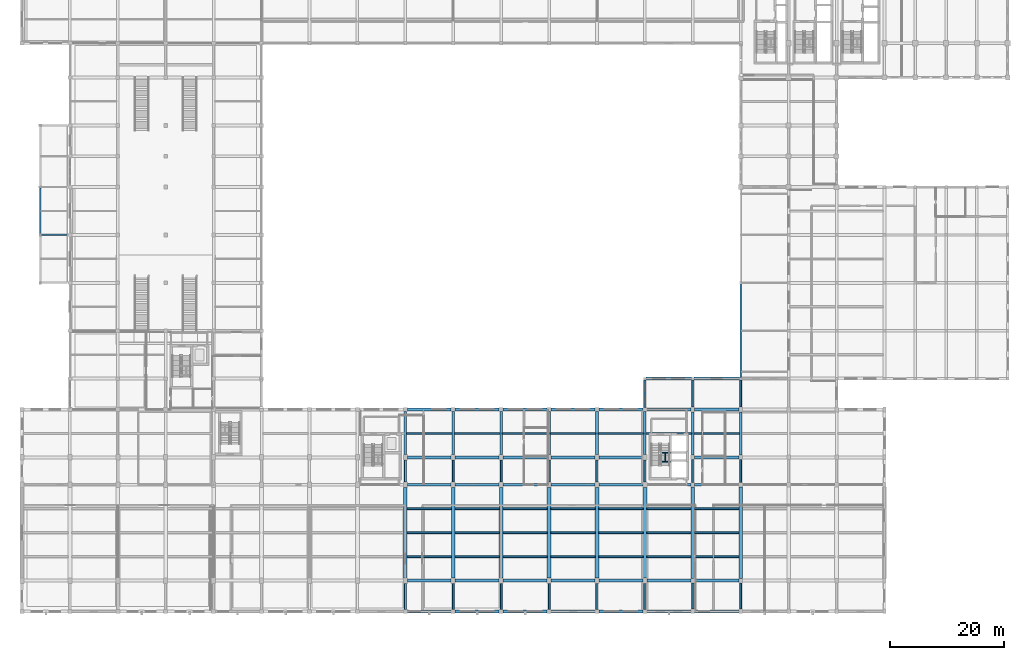
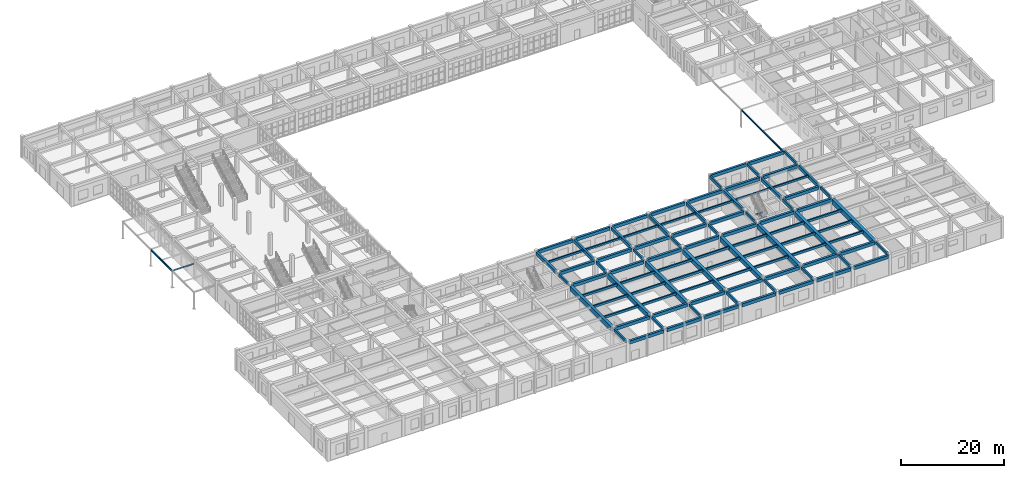
# One storey, part 23 of 80: 104 beams, 1 member.
"""IFC4 building model written with IfcOpenShell, lengths in metres."""

import ifcopenshell
import ifcopenshell.guid

model = None  # the IFC model being written
_history = None  # IfcOwnerHistory: only IFC2X3 demands one
_inside = {}  # id of a spatial element -> (the spatial element, [elements in it])
_under = {}  # id of a project, library or spatial element -> (it, [spatial elements below it])
_declared = {}  # id of a project -> (the project, [libraries it declares])
_typed = {}  # id of a type object -> (the type object, [elements of that type])
_made_of = {}  # id of a material, layer set ... -> (it, [elements and type objects made of it])


def new_model(schema):
    """Start an empty IFC model of exactly this schema.

    Asked for "IFC4X3", IfcOpenShell would pick the latest addendum, in which some entities
    have other attributes; the version numbers below select the first issue.
    IFC2X3 requires an IfcOwnerHistory on every rooted entity: one is made here for all.
    """
    global model, _history
    if schema == "IFC4X3":
        model = ifcopenshell.file(schema_version=(4, 3, 0, 0))
    else:
        model = ifcopenshell.file(schema=schema)
    _inside.clear()
    _under.clear()
    _declared.clear()
    _typed.clear()
    _made_of.clear()
    _history = None
    if model.schema == "IFC2X3":
        org = make("IfcOrganization", Name="unknown")
        user = make(
            "IfcPersonAndOrganization",
            ThePerson=make("IfcPerson", FamilyName="unknown"),
            TheOrganization=org,
        )
        app = make(
            "IfcApplication",
            ApplicationDeveloper=org,
            Version="unknown",
            ApplicationFullName="unknown",
            ApplicationIdentifier="unknown",
        )
        _history = make(
            "IfcOwnerHistory",
            OwningUser=user,
            OwningApplication=app,
            ChangeAction="ADDED",
            CreationDate=0,
        )
    return model


def make(cls, **values):
    """One entity of the class cls with the attributes given. An attribute that is None is left unset."""
    return model.create_entity(
        cls, **{name: value for name, value in values.items() if value is not None}
    )


def rooted(cls, **values):
    """An entity with a GlobalId (a new one), such as an element, a storey or a relation."""
    return make(cls, GlobalId=ifcopenshell.guid.new(), OwnerHistory=_history, **values)


def si_unit(unit_type, name, prefix=None):
    """IfcSIUnit, for example si_unit("LENGTHUNIT", "METRE", prefix="MILLI")."""
    return make("IfcSIUnit", UnitType=unit_type, Prefix=prefix, Name=name)


def assignment(units):
    """IfcUnitAssignment: the units of a project."""
    return None if units is None else make("IfcUnitAssignment", Units=units)


def point(xyz):
    """IfcCartesianPoint."""
    return None if xyz is None else make("IfcCartesianPoint", Coordinates=xyz)


def direction(xyz):
    """IfcDirection."""
    return None if xyz is None else make("IfcDirection", DirectionRatios=xyz)


def frame(location, z_axis=None, x_axis=None):
    """IfcAxis2Placement3D, a coordinate frame: its origin and axes. An axis left out is left unset."""
    return make(
        "IfcAxis2Placement3D",
        Location=point(location),
        Axis=direction(z_axis),
        RefDirection=direction(x_axis),
    )


def frame_2d(location, x_axis=None):
    """IfcAxis2Placement2D, a coordinate frame in the plane: its origin and x axis."""
    return make(
        "IfcAxis2Placement2D", Location=point(location), RefDirection=direction(x_axis)
    )


def origin():
    """The frame at (0, 0, 0) with its axes left unset."""
    return frame((0.0, 0.0, 0.0))


def origin_2d():
    """The frame at (0, 0) in the plane with its x axis left unset."""
    return frame_2d((0.0, 0.0))


def place(relative_to, where):
    """IfcLocalPlacement: puts the frame where relative to a parent placement (None: the world)."""
    return make(
        "IfcLocalPlacement", PlacementRelTo=relative_to, RelativePlacement=where
    )


def context(
    kind, dimensions, precision=None, world=None, true_north=None, identifier=None
):
    """IfcGeometricRepresentationContext, for example the 3D "Model" context."""
    return make(
        "IfcGeometricRepresentationContext",
        ContextIdentifier=identifier,
        ContextType=kind,
        CoordinateSpaceDimension=dimensions,
        Precision=precision,
        WorldCoordinateSystem=world,
        TrueNorth=true_north,
    )


def subcontext(parent, identifier, kind, view, scale=None):
    """IfcGeometricRepresentationSubContext, for example "Body" below "Model"."""
    return make(
        "IfcGeometricRepresentationSubContext",
        ContextIdentifier=identifier,
        ContextType=kind,
        ParentContext=parent,
        TargetScale=scale,
        TargetView=view,
    )


def project(units=None, contexts=None):
    """IfcProject with its units and contexts."""
    return rooted(
        "IfcProject",
        Name="project",
        RepresentationContexts=contexts,
        UnitsInContext=assignment(units),
    )


def spatial(cls, under=None, at=None, **own):
    """A site, building, storey or space (cls), placed at a placement, below another one or the project."""
    s = rooted(cls, ObjectPlacement=at, **own)
    if under is not None:
        _under.setdefault(under.id(), (under, []))[1].append(s)
    return s


def profile(cls, at=None, kind="AREA", **sizes):
    """A parametric profile (cls). Its sizes go by their IFC names, for example OverallWidth=200.0."""
    return make(cls, ProfileType=kind, Position=at, **sizes)


def rectangle(**sizes):
    """IfcRectangleProfileDef."""
    return profile("IfcRectangleProfileDef", **sizes)


def i_section(**sizes):
    """IfcIShapeProfileDef."""
    return profile("IfcIShapeProfileDef", **sizes)


def extrude(swept, where, along, depth):
    """IfcExtrudedAreaSolid: the profile swept, set in the frame where, extruded along a direction by depth."""
    return make(
        "IfcExtrudedAreaSolid",
        SweptArea=swept,
        Position=where,
        ExtrudedDirection=direction(along),
        Depth=depth,
    )


def shape(context_of_items, identifier, shape_type, items):
    """IfcShapeRepresentation: the items that make up one representation, for example the "Body"."""
    return make(
        "IfcShapeRepresentation",
        ContextOfItems=context_of_items,
        RepresentationIdentifier=identifier,
        RepresentationType=shape_type,
        Items=items,
    )


def material(Name=None, Category=None):
    """IfcMaterial."""
    return make("IfcMaterial", Name=Name, Category=Category)


def material_profile(
    of_material, cross_section, Name=None, Category=None, Priority=None
):
    """IfcMaterialProfile: a cross section and its material."""
    return make(
        "IfcMaterialProfile",
        Name=Name,
        Material=of_material,
        Profile=cross_section,
        Priority=Priority,
        Category=Category,
    )


def profile_set(profiles, Name=None, composite=None):
    """IfcMaterialProfileSet."""
    return make(
        "IfcMaterialProfileSet",
        Name=Name,
        MaterialProfiles=profiles,
        CompositeProfile=composite,
    )


def made_of(thing, what):
    """Note that an element or type object is made of a material, layer set ...; save() writes the relation."""
    if what is not None:
        _made_of.setdefault(what.id(), (what, []))[1].append(thing)
    return thing


def type_object(cls, material=None, **own):
    """A type object (cls), such as IfcWallType, which elements share."""
    return made_of(rooted(cls, **own), material)


def element(
    cls,
    number,
    at=None,
    inside=None,
    cuts=None,
    type_object=None,
    material=None,
    context=None,
    identifier="Body",
    shape_type=None,
    held_by="IfcProductDefinitionShape",
    body=None,
    shapes=None,
    **own,
):
    """One element of the class cls, such as IfcWall. Its Tag is "e" and its number.

    at: its placement. inside: the storey or other place that contains it. cuts: it is an
    opening in that element (IfcRelVoidsElement). A single representation is given by context,
    identifier, shape_type and body (its items); several are given by shapes. held_by: the class
    of the entity that holds the representations. save() writes the other relations.
    """
    e = rooted(cls, Tag="e%d" % number, ObjectPlacement=at, **own)
    if body is not None:
        shapes = [shape(context, identifier, shape_type, body)]
    if shapes is not None:
        e.Representation = make(held_by, Representations=shapes)
    if inside is not None:
        _inside.setdefault(inside.id(), (inside, []))[1].append(e)
    if cuts is not None:
        rooted(
            "IfcRelVoidsElement", RelatingBuildingElement=cuts, RelatedOpeningElement=e
        )
    if type_object is not None:
        _typed.setdefault(type_object.id(), (type_object, []))[1].append(e)
    return made_of(e, material)


def aggregate(whole, parts):
    """IfcRelAggregates: a whole, such as a stair, and the parts it consists of."""
    return rooted("IfcRelAggregates", RelatingObject=whole, RelatedObjects=parts)


def save(model, path):
    """Write the relations noted so far, then the file.

    IfcRelAggregates (storeys below a building ...), IfcRelContainedInSpatialStructure (elements
    in a storey), IfcRelDefinesByType, IfcRelAssociatesMaterial and IfcRelDeclares: one each for
    every whole, place, type object, material and project.
    """
    for whole, parts in _under.values():
        aggregate(whole, parts)
    for where, things in _inside.values():
        rooted(
            "IfcRelContainedInSpatialStructure",
            RelatedElements=things,
            RelatingStructure=where,
        )
    for kind, things in _typed.values():
        rooted("IfcRelDefinesByType", RelatedObjects=things, RelatingType=kind)
    for what, things in _made_of.values():
        rooted("IfcRelAssociatesMaterial", RelatedObjects=things, RelatingMaterial=what)
    for by, libraries in _declared.values():
        rooted("IfcRelDeclares", RelatingContext=by, RelatedDefinitions=libraries)
    model.write(path)


model = new_model("IFC4")

# Units and contexts
model_context = context("Model", 3, precision=1e-05, world=origin(), true_north=direction((0.0, 1.0)))
body_context = subcontext(model_context, "Body", "Model", "MODEL_VIEW")
ifc_project = project(units=[si_unit("LENGTHUNIT", "METRE"), si_unit("AREAUNIT", "SQUARE_METRE"), si_unit("VOLUMEUNIT", "CUBIC_METRE"), si_unit("PLANEANGLEUNIT", "RADIAN"), si_unit("MASSUNIT", "GRAM", prefix="KILO")], contexts=[model_context])

# Site, building, storey
site_placement = place(None, origin())
site = spatial("IfcSite", under=ifc_project, at=site_placement, CompositionType="ELEMENT")
building_placement = place(site_placement, origin())
building = spatial("IfcBuilding", under=site, at=building_placement, Name="Krzemoval Escarpment Law Courts", CompositionType="ELEMENT")
storey_placement = place(building_placement, origin())
storey = spatial("IfcBuildingStorey", under=building, at=storey_placement, Name="L00", CompositionType="ELEMENT", Elevation=0.0)

# Beams
ifc_material_1 = material(Name="Concrete C50/60", Category="concrete")
ifc_material_profile_1 = material_profile(ifc_material_1, rectangle(XDim=0.64990234375, YDim=1.14990234375, at=origin_2d()), Name="PTG 650x1150")
ifc_profile_set_1 = profile_set([ifc_material_profile_1], Name="Concrete C50/60")
beam_type_1 = type_object("IfcBeamType", Name="BM-PTG-650x1150", PredefinedType="BEAM", material=ifc_profile_set_1)
for number, where, z_axis, x_axis, name in (
    (1, (67.199951171875, 5.89990234375, 4.2451171875), (0.0, 1.0, 0.0), (-1.0, 0.0, 0.0), "Beam FG-L00-0907"),
    (2, (75.60009765625, 5.89990234375, 4.2451171875), (0.0, 1.0, 0.0), (-1.0, 0.0, 0.0), "Beam FG-L00-0913"),
    (3, (84.0, 5.89990234375, 4.2451171875), (0.0, 1.0, 0.0), (-1.0, 0.0, 0.0), "Beam FG-L00-0919"),
    (4, (92.39990234375, 5.89990234375, 4.2451171875), (0.0, 1.0, 0.0), (-1.0, 0.0, 0.0), "Beam FG-L00-0925"),
    (5, (100.800048828125, 5.89990234375, 4.2451171875), (0.0, 1.0, 0.0), (-1.0, 0.0, 0.0), "Beam FG-L00-0931"),
    (6, (109.199951171875, 5.89990234375, 4.2451171875), (0.0, 1.0, 0.0), (-1.0, 0.0, 0.0), "Beam FG-L00-0937"),
):
    element("IfcBeam", number, at=place(storey_placement, frame(where, z_axis=z_axis, x_axis=x_axis)), inside=storey, type_object=beam_type_1, Name=name, PredefinedType="BEAM", context=body_context, shape_type="SweptSolid", body=[
        extrude(rectangle(XDim=0.64990234375, YDim=1.14990234375, at=origin_2d()), origin(), (0.0, 0.0, 1.0), 15.800048828125),
    ])
for number, where, z_axis, x_axis, name in (
    (7, (117.60009765625, 5.800048828125, 4.2451171875), (0.0, 1.0, 0.0), (-1.0, 0.0, 0.0), "Beam FG-L00-0944"),
    (8, (126.0, 5.800048828125, 4.2451171875), (0.0, 1.0, 0.0), (-1.0, 0.0, 0.0), "Beam FG-L00-0951"),
):
    element("IfcBeam", number, at=place(storey_placement, frame(where, z_axis=z_axis, x_axis=x_axis)), inside=storey, type_object=beam_type_1, Name=name, PredefinedType="BEAM", context=body_context, shape_type="SweptSolid", body=[
        extrude(rectangle(XDim=0.64990234375, YDim=1.14990234375, at=origin_2d()), origin(), (0.0, 0.0, 1.0), 16.0),
    ])
ifc_material_2 = material(Name="Concrete C40/50", Category="concrete")
ifc_material_profile_2 = material_profile(ifc_material_2, rectangle(XDim=0.35009765625, YDim=0.64990234375, at=origin_2d()), Name="RCB 350x650")
ifc_profile_set_2 = profile_set([ifc_material_profile_2], Name="Concrete C40/50")
beam_type_2 = type_object("IfcBeamType", Name="BM-RC-350x650", PredefinedType="BEAM", material=ifc_profile_set_2)
beam_1_placement = place(storey_placement, frame((67.199951171875, 0.35009765625, 4.4951171875), z_axis=(0.0, 1.0, 0.0), x_axis=(-1.0, 0.0, 0.0)))
element("IfcBeam", 9, at=beam_1_placement, inside=storey, type_object=beam_type_2, Name="Beam FG-L00-0906", PredefinedType="BEAM", context=body_context, shape_type="SweptSolid", body=[
    extrude(rectangle(XDim=0.35009765625, YDim=0.64990234375, at=origin_2d()), origin(), (0.0, 0.0, 1.0), 4.5498046875),
])
beam_2_placement = place(storey_placement, frame((67.199951171875, 22.699951171875, 4.4951171875), z_axis=(0.0, 1.0, 0.0), x_axis=(-1.0, 0.0, 0.0)))
element("IfcBeam", 10, at=beam_2_placement, inside=storey, type_object=beam_type_2, Name="Beam FG-L00-0908", PredefinedType="BEAM", context=body_context, shape_type="SweptSolid", body=[
    extrude(rectangle(XDim=0.35009765625, YDim=0.64990234375, at=origin_2d()), origin(), (0.0, 0.0, 1.0), 3.800048828125),
])
beam_3_placement = place(storey_placement, frame((75.60009765625, 0.35009765625, 4.4951171875), z_axis=(0.0, 1.0, 0.0), x_axis=(-1.0, 0.0, 0.0)))
element("IfcBeam", 11, at=beam_3_placement, inside=storey, type_object=beam_type_2, Name="Beam FG-L00-0912", PredefinedType="BEAM", context=body_context, shape_type="SweptSolid", body=[
    extrude(rectangle(XDim=0.35009765625, YDim=0.64990234375, at=origin_2d()), origin(), (0.0, 0.0, 1.0), 4.5498046875),
])
beam_4_placement = place(storey_placement, frame((75.60009765625, 22.699951171875, 4.4951171875), z_axis=(0.0, 1.0, 0.0), x_axis=(-1.0, 0.0, 0.0)))
element("IfcBeam", 12, at=beam_4_placement, inside=storey, type_object=beam_type_2, Name="Beam FG-L00-0914", PredefinedType="BEAM", context=body_context, shape_type="SweptSolid", body=[
    extrude(rectangle(XDim=0.35009765625, YDim=0.64990234375, at=origin_2d()), origin(), (0.0, 0.0, 1.0), 3.800048828125),
])
beam_5_placement = place(storey_placement, frame((84.0, 0.35009765625, 4.4951171875), z_axis=(0.0, 1.0, 0.0), x_axis=(-1.0, 0.0, 0.0)))
element("IfcBeam", 13, at=beam_5_placement, inside=storey, type_object=beam_type_2, Name="Beam FG-L00-0918", PredefinedType="BEAM", context=body_context, shape_type="SweptSolid", body=[
    extrude(rectangle(XDim=0.35009765625, YDim=0.64990234375, at=origin_2d()), origin(), (0.0, 0.0, 1.0), 4.5498046875),
])
beam_6_placement = place(storey_placement, frame((84.0, 22.699951171875, 4.4951171875), z_axis=(0.0, 1.0, 0.0), x_axis=(-1.0, 0.0, 0.0)))
element("IfcBeam", 14, at=beam_6_placement, inside=storey, type_object=beam_type_2, Name="Beam FG-L00-0920", PredefinedType="BEAM", context=body_context, shape_type="SweptSolid", body=[
    extrude(rectangle(XDim=0.35009765625, YDim=0.64990234375, at=origin_2d()), origin(), (0.0, 0.0, 1.0), 3.800048828125),
])
beam_7_placement = place(storey_placement, frame((92.39990234375, 0.35009765625, 4.4951171875), z_axis=(0.0, 1.0, 0.0), x_axis=(-1.0, 0.0, 0.0)))
element("IfcBeam", 15, at=beam_7_placement, inside=storey, type_object=beam_type_2, Name="Beam FG-L00-0924", PredefinedType="BEAM", context=body_context, shape_type="SweptSolid", body=[
    extrude(rectangle(XDim=0.35009765625, YDim=0.64990234375, at=origin_2d()), origin(), (0.0, 0.0, 1.0), 4.5498046875),
])
beam_8_placement = place(storey_placement, frame((92.39990234375, 22.699951171875, 4.4951171875), z_axis=(0.0, 1.0, 0.0), x_axis=(-1.0, 0.0, 0.0)))
element("IfcBeam", 16, at=beam_8_placement, inside=storey, type_object=beam_type_2, Name="Beam FG-L00-0926", PredefinedType="BEAM", context=body_context, shape_type="SweptSolid", body=[
    extrude(rectangle(XDim=0.35009765625, YDim=0.64990234375, at=origin_2d()), origin(), (0.0, 0.0, 1.0), 3.800048828125),
])
beam_9_placement = place(storey_placement, frame((100.800048828125, 0.35009765625, 4.4951171875), z_axis=(0.0, 1.0, 0.0), x_axis=(-1.0, 0.0, 0.0)))
element("IfcBeam", 17, at=beam_9_placement, inside=storey, type_object=beam_type_2, Name="Beam FG-L00-0930", PredefinedType="BEAM", context=body_context, shape_type="SweptSolid", body=[
    extrude(rectangle(XDim=0.35009765625, YDim=0.64990234375, at=origin_2d()), origin(), (0.0, 0.0, 1.0), 4.5498046875),
])
beam_10_placement = place(storey_placement, frame((100.800048828125, 22.699951171875, 4.4951171875), z_axis=(0.0, 1.0, 0.0), x_axis=(-1.0, 0.0, 0.0)))
element("IfcBeam", 18, at=beam_10_placement, inside=storey, type_object=beam_type_2, Name="Beam FG-L00-0932", PredefinedType="BEAM", context=body_context, shape_type="SweptSolid", body=[
    extrude(rectangle(XDim=0.35009765625, YDim=0.64990234375, at=origin_2d()), origin(), (0.0, 0.0, 1.0), 3.800048828125),
])
beam_11_placement = place(storey_placement, frame((109.199951171875, 0.35009765625, 4.4951171875), z_axis=(0.0, 1.0, 0.0), x_axis=(-1.0, 0.0, 0.0)))
element("IfcBeam", 19, at=beam_11_placement, inside=storey, type_object=beam_type_2, Name="Beam FG-L00-0936", PredefinedType="BEAM", context=body_context, shape_type="SweptSolid", body=[
    extrude(rectangle(XDim=0.35009765625, YDim=0.64990234375, at=origin_2d()), origin(), (0.0, 0.0, 1.0), 4.5498046875),
])
beam_12_placement = place(storey_placement, frame((109.199951171875, 22.699951171875, 4.4951171875), z_axis=(0.0, 1.0, 0.0), x_axis=(-1.0, 0.0, 0.0)))
element("IfcBeam", 20, at=beam_12_placement, inside=storey, type_object=beam_type_2, Name="Beam FG-L00-0938", PredefinedType="BEAM", context=body_context, shape_type="SweptSolid", body=[
    extrude(rectangle(XDim=0.35009765625, YDim=0.64990234375, at=origin_2d()), origin(), (0.0, 0.0, 1.0), 3.800048828125),
])
beam_13_placement = place(storey_placement, frame((109.199951171875, 35.75, 4.4951171875), z_axis=(0.0, 1.0, 0.0), x_axis=(-1.0, 0.0, 0.0)))
element("IfcBeam", 21, at=beam_13_placement, inside=storey, type_object=beam_type_2, Name="Beam FG-L00-0940", PredefinedType="BEAM", context=body_context, shape_type="SweptSolid", body=[
    extrude(rectangle(XDim=0.35009765625, YDim=0.64990234375, at=origin_2d()), origin(), (0.0, 0.0, 1.0), 4.824951171875),
])
beam_14_placement = place(storey_placement, frame((117.60009765625, 0.39990234375, 4.4951171875), z_axis=(0.0, 1.0, 0.0), x_axis=(-1.0, 0.0, 0.0)))
element("IfcBeam", 22, at=beam_14_placement, inside=storey, type_object=beam_type_2, Name="Beam FG-L00-0943", PredefinedType="BEAM", context=body_context, shape_type="SweptSolid", body=[
    extrude(rectangle(XDim=0.35009765625, YDim=0.64990234375, at=origin_2d()), origin(), (0.0, 0.0, 1.0), 4.60009765625),
])
beam_15_placement = place(storey_placement, frame((117.60009765625, 22.60009765625, 4.4951171875), z_axis=(0.0, 1.0, 0.0), x_axis=(-1.0, 0.0, 0.0)))
element("IfcBeam", 23, at=beam_15_placement, inside=storey, type_object=beam_type_2, Name="Beam FG-L00-0945", PredefinedType="BEAM", context=body_context, shape_type="SweptSolid", body=[
    extrude(rectangle(XDim=0.35009765625, YDim=0.64990234375, at=origin_2d()), origin(), (0.0, 0.0, 1.0), 4.0),
])
beam_16_placement = place(storey_placement, frame((117.60009765625, 35.800048828125, 4.4951171875), z_axis=(0.0, 1.0, 0.0), x_axis=(-1.0, 0.0, 0.0)))
element("IfcBeam", 24, at=beam_16_placement, inside=storey, type_object=beam_type_2, Name="Beam FG-L00-0947", PredefinedType="BEAM", context=body_context, shape_type="SweptSolid", body=[
    extrude(rectangle(XDim=0.35009765625, YDim=0.64990234375, at=origin_2d()), origin(), (0.0, 0.0, 1.0), 4.77490234375),
])
beam_17_placement = place(storey_placement, frame((126.0, 0.39990234375, 4.4951171875), z_axis=(0.0, 1.0, 0.0), x_axis=(-1.0, 0.0, 0.0)))
element("IfcBeam", 25, at=beam_17_placement, inside=storey, type_object=beam_type_2, Name="Beam FG-L00-0950", PredefinedType="BEAM", context=body_context, shape_type="SweptSolid", body=[
    extrude(rectangle(XDim=0.35009765625, YDim=0.64990234375, at=origin_2d()), origin(), (0.0, 0.0, 1.0), 4.60009765625),
])
beam_18_placement = place(storey_placement, frame((126.0, 22.60009765625, 4.4951171875), z_axis=(0.0, 1.0, 0.0), x_axis=(-1.0, 0.0, 0.0)))
element("IfcBeam", 26, at=beam_18_placement, inside=storey, type_object=beam_type_2, Name="Beam FG-L00-0952", PredefinedType="BEAM", context=body_context, shape_type="SweptSolid", body=[
    extrude(rectangle(XDim=0.35009765625, YDim=0.64990234375, at=origin_2d()), origin(), (0.0, 0.0, 1.0), 4.0),
])
beam_19_placement = place(storey_placement, frame((126.0, 35.800048828125, 4.4951171875), z_axis=(0.0, 1.0, 0.0), x_axis=(-1.0, 0.0, 0.0)))
element("IfcBeam", 27, at=beam_19_placement, inside=storey, type_object=beam_type_2, Name="Beam FG-L00-0954", PredefinedType="BEAM", context=body_context, shape_type="SweptSolid", body=[
    extrude(rectangle(XDim=0.35009765625, YDim=0.64990234375, at=origin_2d()), origin(), (0.0, 0.0, 1.0), 4.77490234375),
])
ifc_material_3 = material(Name="Concrete C40/50", Category="concrete")
ifc_material_profile_3 = material_profile(ifc_material_3, rectangle(XDim=0.449951171875, YDim=0.800048828125, at=origin_2d()), Name="RCB 450x800")
ifc_profile_set_3 = profile_set([ifc_material_profile_3], Name="Concrete C40/50")
beam_type_3 = type_object("IfcBeamType", Name="BM-RC-450x800", PredefinedType="BEAM", material=ifc_profile_set_3)
for number, where, z_axis, x_axis, name in (
    (28, (67.199951171875, 27.5, 4.419921875), (0.0, 1.0, 0.0), (-1.0, 0.0, 0.0), "Beam FG-L00-0909"),
    (29, (75.60009765625, 27.5, 4.419921875), (0.0, 1.0, 0.0), (-1.0, 0.0, 0.0), "Beam FG-L00-0915"),
    (30, (84.0, 27.5, 4.419921875), (0.0, 1.0, 0.0), (-1.0, 0.0, 0.0), "Beam FG-L00-0921"),
    (31, (92.39990234375, 27.5, 4.419921875), (0.0, 1.0, 0.0), (-1.0, 0.0, 0.0), "Beam FG-L00-0927"),
    (32, (100.800048828125, 27.5, 4.419921875), (0.0, 1.0, 0.0), (-1.0, 0.0, 0.0), "Beam FG-L00-0933"),
    (33, (109.199951171875, 27.5, 4.419921875), (0.0, 1.0, 0.0), (-1.0, 0.0, 0.0), "Beam FG-L00-0939"),
):
    element("IfcBeam", number, at=place(storey_placement, frame(where, z_axis=z_axis, x_axis=x_axis)), inside=storey, type_object=beam_type_3, Name=name, PredefinedType="BEAM", context=body_context, shape_type="SweptSolid", body=[
        extrude(rectangle(XDim=0.449951171875, YDim=0.800048828125, at=origin_2d()), origin(), (0.0, 0.0, 1.0), 7.550048828125),
    ])
for number, where, z_axis, x_axis, name in (
    (34, (117.60009765625, 27.39990234375, 4.419921875), (0.0, 1.0, 0.0), (-1.0, 0.0, 0.0), "Beam FG-L00-0946"),
    (35, (126.0, 27.39990234375, 4.419921875), (0.0, 1.0, 0.0), (-1.0, 0.0, 0.0), "Beam FG-L00-0953"),
):
    element("IfcBeam", number, at=place(storey_placement, frame(where, z_axis=z_axis, x_axis=x_axis)), inside=storey, type_object=beam_type_3, Name=name, PredefinedType="BEAM", context=body_context, shape_type="SweptSolid", body=[
        extrude(rectangle(XDim=0.449951171875, YDim=0.800048828125, at=origin_2d()), origin(), (0.0, 0.0, 1.0), 7.60009765625),
    ])
ifc_material_4 = material(Name="Concrete C40/50", Category="concrete")
ifc_material_profile_4 = material_profile(ifc_material_4, rectangle(XDim=0.5, YDim=0.75, at=origin_2d()), Name="RCB 500x750")
ifc_profile_set_4 = profile_set([ifc_material_profile_4], Name="Concrete C40/50")
beam_type_4 = type_object("IfcBeamType", Name="BM-RC-500x750", PredefinedType="BEAM", material=ifc_profile_set_4)
for number, where, z_axis, x_axis, name in (
    (36, (67.550048828125, 0.0, 4.445068359375), (1.0, 0.0, 0.0), (0.0, 1.0, 0.0), "Beam FG-L00-0595"),
    (37, (75.949951171875, 0.0, 4.445068359375), (1.0, 0.0, 0.0), (0.0, 1.0, 0.0), "Beam FG-L00-0596"),
    (38, (84.35009765625, 0.0, 4.445068359375), (1.0, 0.0, 0.0), (0.0, 1.0, 0.0), "Beam FG-L00-0597"),
    (39, (92.75, 0.0, 4.445068359375), (1.0, 0.0, 0.0), (0.0, 1.0, 0.0), "Beam FG-L00-0598"),
):
    element("IfcBeam", number, at=place(storey_placement, frame(where, z_axis=z_axis, x_axis=x_axis)), inside=storey, type_object=beam_type_4, Name=name, PredefinedType="BEAM", context=body_context, shape_type="SweptSolid", body=[
        extrude(rectangle(XDim=0.5, YDim=0.75, at=origin_2d()), origin(), (0.0, 0.0, 1.0), 7.699951171875),
    ])
beam_20_placement = place(storey_placement, frame((101.14990234375, 0.0, 4.445068359375), z_axis=(1.0, 0.0, 0.0), x_axis=(0.0, 1.0, 0.0)))
element("IfcBeam", 40, at=beam_20_placement, inside=storey, type_object=beam_type_4, Name="Beam FG-L00-0599", PredefinedType="BEAM", context=body_context, shape_type="SweptSolid", body=[
    extrude(rectangle(XDim=0.5, YDim=0.75, at=origin_2d()), origin(), (0.0, 0.0, 1.0), 7.7001953125),
])
beam_21_placement = place(storey_placement, frame((109.550048828125, 0.0, 4.445068359375), z_axis=(1.0, 0.0, 0.0), x_axis=(0.0, 1.0, 0.0)))
element("IfcBeam", 41, at=beam_21_placement, inside=storey, type_object=beam_type_4, Name="Beam FG-L00-0600", PredefinedType="BEAM", context=body_context, shape_type="SweptSolid", body=[
    extrude(rectangle(XDim=0.5, YDim=0.75, at=origin_2d()), origin(), (0.0, 0.0, 1.0), 7.75),
])
beam_22_placement = place(storey_placement, frame((117.89990234375, 0.0, 4.445068359375), z_axis=(1.0, 0.0, 0.0), x_axis=(0.0, 1.0, 0.0)))
element("IfcBeam", 42, at=beam_22_placement, inside=storey, type_object=beam_type_4, Name="Beam FG-L00-0601", PredefinedType="BEAM", context=body_context, shape_type="SweptSolid", body=[
    extrude(rectangle(XDim=0.5, YDim=0.75, at=origin_2d()), origin(), (0.0, 0.0, 1.0), 7.800048828125),
])
for number, where, z_axis, x_axis, name in (
    (43, (67.550048828125, 5.39990234375, 4.445068359375), (1.0, 0.0, 0.0), (0.0, 1.0, 0.0), "Beam FG-L00-0613"),
    (44, (75.949951171875, 5.39990234375, 4.445068359375), (1.0, 0.0, 0.0), (0.0, 1.0, 0.0), "Beam FG-L00-0614"),
    (45, (84.35009765625, 5.39990234375, 4.445068359375), (1.0, 0.0, 0.0), (0.0, 1.0, 0.0), "Beam FG-L00-0615"),
    (46, (92.75, 5.39990234375, 4.445068359375), (1.0, 0.0, 0.0), (0.0, 1.0, 0.0), "Beam FG-L00-0616"),
):
    element("IfcBeam", number, at=place(storey_placement, frame(where, z_axis=z_axis, x_axis=x_axis)), inside=storey, type_object=beam_type_4, Name=name, PredefinedType="BEAM", context=body_context, shape_type="SweptSolid", body=[
        extrude(rectangle(XDim=0.5, YDim=0.75, at=origin_2d()), origin(), (0.0, 0.0, 1.0), 7.699951171875),
    ])
beam_23_placement = place(storey_placement, frame((101.14990234375, 5.39990234375, 4.445068359375), z_axis=(1.0, 0.0, 0.0), x_axis=(0.0, 1.0, 0.0)))
element("IfcBeam", 47, at=beam_23_placement, inside=storey, type_object=beam_type_4, Name="Beam FG-L00-0617", PredefinedType="BEAM", context=body_context, shape_type="SweptSolid", body=[
    extrude(rectangle(XDim=0.5, YDim=0.75, at=origin_2d()), origin(), (0.0, 0.0, 1.0), 7.7001953125),
])
beam_24_placement = place(storey_placement, frame((109.550048828125, 5.39990234375, 4.445068359375), z_axis=(1.0, 0.0, 0.0), x_axis=(0.0, 1.0, 0.0)))
element("IfcBeam", 48, at=beam_24_placement, inside=storey, type_object=beam_type_4, Name="Beam FG-L00-0618", PredefinedType="BEAM", context=body_context, shape_type="SweptSolid", body=[
    extrude(rectangle(XDim=0.5, YDim=0.75, at=origin_2d()), origin(), (0.0, 0.0, 1.0), 7.75),
])
beam_25_placement = place(storey_placement, frame((117.89990234375, 5.39990234375, 4.445068359375), z_axis=(1.0, 0.0, 0.0), x_axis=(0.0, 1.0, 0.0)))
element("IfcBeam", 49, at=beam_25_placement, inside=storey, type_object=beam_type_4, Name="Beam FG-L00-0619", PredefinedType="BEAM", context=body_context, shape_type="SweptSolid", body=[
    extrude(rectangle(XDim=0.5, YDim=0.75, at=origin_2d()), origin(), (0.0, 0.0, 1.0), 7.800048828125),
])
for number, where, z_axis, x_axis, name in (
    (50, (67.550048828125, 22.199951171875, 4.445068359375), (1.0, 0.0, 0.0), (0.0, 1.0, 0.0), "Beam FG-L00-0631"),
    (51, (75.949951171875, 22.199951171875, 4.445068359375), (1.0, 0.0, 0.0), (0.0, 1.0, 0.0), "Beam FG-L00-0632"),
    (52, (84.35009765625, 22.199951171875, 4.445068359375), (1.0, 0.0, 0.0), (0.0, 1.0, 0.0), "Beam FG-L00-0633"),
    (53, (92.75, 22.199951171875, 4.445068359375), (1.0, 0.0, 0.0), (0.0, 1.0, 0.0), "Beam FG-L00-0634"),
):
    element("IfcBeam", number, at=place(storey_placement, frame(where, z_axis=z_axis, x_axis=x_axis)), inside=storey, type_object=beam_type_4, Name=name, PredefinedType="BEAM", context=body_context, shape_type="SweptSolid", body=[
        extrude(rectangle(XDim=0.5, YDim=0.75, at=origin_2d()), origin(), (0.0, 0.0, 1.0), 7.699951171875),
    ])
beam_26_placement = place(storey_placement, frame((101.14990234375, 22.199951171875, 4.445068359375), z_axis=(1.0, 0.0, 0.0), x_axis=(0.0, 1.0, 0.0)))
element("IfcBeam", 54, at=beam_26_placement, inside=storey, type_object=beam_type_4, Name="Beam FG-L00-0635", PredefinedType="BEAM", context=body_context, shape_type="SweptSolid", body=[
    extrude(rectangle(XDim=0.5, YDim=0.75, at=origin_2d()), origin(), (0.0, 0.0, 1.0), 7.7001953125),
])
beam_27_placement = place(storey_placement, frame((109.550048828125, 22.199951171875, 4.445068359375), z_axis=(1.0, 0.0, 0.0), x_axis=(0.0, 1.0, 0.0)))
element("IfcBeam", 55, at=beam_27_placement, inside=storey, type_object=beam_type_4, Name="Beam FG-L00-0636", PredefinedType="BEAM", context=body_context, shape_type="SweptSolid", body=[
    extrude(rectangle(XDim=0.5, YDim=0.75, at=origin_2d()), origin(), (0.0, 0.0, 1.0), 7.75),
])
beam_28_placement = place(storey_placement, frame((117.89990234375, 22.199951171875, 4.445068359375), z_axis=(1.0, 0.0, 0.0), x_axis=(0.0, 1.0, 0.0)))
element("IfcBeam", 56, at=beam_28_placement, inside=storey, type_object=beam_type_4, Name="Beam FG-L00-0637", PredefinedType="BEAM", context=body_context, shape_type="SweptSolid", body=[
    extrude(rectangle(XDim=0.5, YDim=0.75, at=origin_2d()), origin(), (0.0, 0.0, 1.0), 7.800048828125),
])
for number, where, z_axis, x_axis, name in (
    (57, (67.550048828125, 27.0, 4.445068359375), (1.0, 0.0, 0.0), (0.0, 1.0, 0.0), "Beam FG-L00-0648"),
    (58, (75.949951171875, 27.0, 4.445068359375), (1.0, 0.0, 0.0), (0.0, 1.0, 0.0), "Beam FG-L00-0649"),
    (59, (84.35009765625, 27.0, 4.445068359375), (1.0, 0.0, 0.0), (0.0, 1.0, 0.0), "Beam FG-L00-0650"),
    (60, (92.75, 27.0, 4.445068359375), (1.0, 0.0, 0.0), (0.0, 1.0, 0.0), "Beam FG-L00-0651"),
):
    element("IfcBeam", number, at=place(storey_placement, frame(where, z_axis=z_axis, x_axis=x_axis)), inside=storey, type_object=beam_type_4, Name=name, PredefinedType="BEAM", context=body_context, shape_type="SweptSolid", body=[
        extrude(rectangle(XDim=0.5, YDim=0.75, at=origin_2d()), origin(), (0.0, 0.0, 1.0), 7.699951171875),
    ])
beam_29_placement = place(storey_placement, frame((101.14990234375, 27.0, 4.445068359375), z_axis=(1.0, 0.0, 0.0), x_axis=(0.0, 1.0, 0.0)))
element("IfcBeam", 61, at=beam_29_placement, inside=storey, type_object=beam_type_4, Name="Beam FG-L00-0652", PredefinedType="BEAM", context=body_context, shape_type="SweptSolid", body=[
    extrude(rectangle(XDim=0.5, YDim=0.75, at=origin_2d()), origin(), (0.0, 0.0, 1.0), 7.7001953125),
])
beam_30_placement = place(storey_placement, frame((117.89990234375, 27.0, 4.445068359375), z_axis=(1.0, 0.0, 0.0), x_axis=(0.0, 1.0, 0.0)))
element("IfcBeam", 62, at=beam_30_placement, inside=storey, type_object=beam_type_4, Name="Beam FG-L00-0653", PredefinedType="BEAM", context=body_context, shape_type="SweptSolid", body=[
    extrude(rectangle(XDim=0.5, YDim=0.75, at=origin_2d()), origin(), (0.0, 0.0, 1.0), 7.800048828125),
])
for number, where, z_axis, x_axis, name in (
    (63, (67.550048828125, 35.39990234375, 4.445068359375), (1.0, 0.0, 0.0), (0.0, 1.0, 0.0), "Beam FG-L00-0665"),
    (64, (75.949951171875, 35.39990234375, 4.445068359375), (1.0, 0.0, 0.0), (0.0, 1.0, 0.0), "Beam FG-L00-0666"),
    (65, (84.35009765625, 35.39990234375, 4.445068359375), (1.0, 0.0, 0.0), (0.0, 1.0, 0.0), "Beam FG-L00-0667"),
    (66, (92.75, 35.39990234375, 4.445068359375), (1.0, 0.0, 0.0), (0.0, 1.0, 0.0), "Beam FG-L00-0668"),
):
    element("IfcBeam", number, at=place(storey_placement, frame(where, z_axis=z_axis, x_axis=x_axis)), inside=storey, type_object=beam_type_4, Name=name, PredefinedType="BEAM", context=body_context, shape_type="SweptSolid", body=[
        extrude(rectangle(XDim=0.5, YDim=0.75, at=origin_2d()), origin(), (0.0, 0.0, 1.0), 7.699951171875),
    ])
beam_31_placement = place(storey_placement, frame((101.14990234375, 35.39990234375, 4.445068359375), z_axis=(1.0, 0.0, 0.0), x_axis=(0.0, 1.0, 0.0)))
element("IfcBeam", 67, at=beam_31_placement, inside=storey, type_object=beam_type_4, Name="Beam FG-L00-0669", PredefinedType="BEAM", context=body_context, shape_type="SweptSolid", body=[
    extrude(rectangle(XDim=0.5, YDim=0.75, at=origin_2d()), origin(), (0.0, 0.0, 1.0), 7.7001953125),
])
beam_32_placement = place(storey_placement, frame((109.550048828125, 35.39990234375, 4.445068359375), z_axis=(1.0, 0.0, 0.0), x_axis=(0.0, 1.0, 0.0)))
element("IfcBeam", 68, at=beam_32_placement, inside=storey, type_object=beam_type_4, Name="Beam FG-L00-0670", PredefinedType="BEAM", context=body_context, shape_type="SweptSolid", body=[
    extrude(rectangle(XDim=0.5, YDim=0.75, at=origin_2d()), origin(), (0.0, 0.0, 1.0), 7.75),
])
beam_33_placement = place(storey_placement, frame((117.89990234375, 35.39990234375, 4.445068359375), z_axis=(1.0, 0.0, 0.0), x_axis=(0.0, 1.0, 0.0)))
element("IfcBeam", 69, at=beam_33_placement, inside=storey, type_object=beam_type_4, Name="Beam FG-L00-0671", PredefinedType="BEAM", context=body_context, shape_type="SweptSolid", body=[
    extrude(rectangle(XDim=0.5, YDim=0.75, at=origin_2d()), origin(), (0.0, 0.0, 1.0), 7.800048828125),
])
for number, where, z_axis, x_axis, name in (
    (70, (109.425048828125, 40.800048828125, 4.445068359375), (1.0, 0.0, 0.0), (0.0, 1.0, 0.0), "Beam FG-L00-0678"),
    (71, (117.824951171875, 40.800048828125, 4.445068359375), (1.0, 0.0, 0.0), (0.0, 1.0, 0.0), "Beam FG-L00-0679"),
):
    element("IfcBeam", number, at=place(storey_placement, frame(where, z_axis=z_axis, x_axis=x_axis)), inside=storey, type_object=beam_type_4, Name=name, PredefinedType="BEAM", context=body_context, shape_type="SweptSolid", body=[
        extrude(rectangle(XDim=0.5, YDim=0.75, at=origin_2d()), origin(), (0.0, 0.0, 1.0), 7.949951171875),
    ])
ifc_material_5 = material(Name="Steel S355", Category="steel")
ifc_material_profile_5 = material_profile(ifc_material_5, i_section(OverallWidth=0.179931640625, OverallDepth=0.39990234375, WebThickness=0.008544921875, FlangeThickness=0.013427734375, at=origin_2d()), Name="IPE 400")
ifc_profile_set_5 = profile_set([ifc_material_profile_5], Name="Steel S355")
beam_type_5 = type_object("IfcBeamType", Name="BM-S355-IPE400", PredefinedType="BEAM", material=ifc_profile_set_5)
beam_34_placement = place(storey_placement, frame((3.199951171875, 66.169921875, 3.820068359375), z_axis=(0.0, 1.0, 0.0), x_axis=(-1.0, 0.0, 0.0)))
element("IfcBeam", 72, at=beam_34_placement, inside=storey, type_object=beam_type_5, Name="Canopy Edge Beam CB-2848", PredefinedType="BEAM", context=body_context, shape_type="SweptSolid", body=[
    extrude(i_section(OverallWidth=0.179931640625, OverallDepth=0.39990234375, WebThickness=0.008544921875, FlangeThickness=0.013427734375, at=origin_2d()), origin(), (0.0, 0.0, 1.0), 8.10009765625),
])
beam_35_placement = place(storey_placement, frame((126.0, 40.97998046875, 4.219970703125), z_axis=(0.0, 1.0, 0.0), x_axis=(-1.0, 0.0, 0.0)))
element("IfcBeam", 73, at=beam_35_placement, inside=storey, type_object=beam_type_5, Name="Passage Canopy Edge Beam CB-2852", PredefinedType="BEAM", context=body_context, shape_type="SweptSolid", body=[
    extrude(i_section(OverallWidth=0.179931640625, OverallDepth=0.39990234375, WebThickness=0.008544921875, FlangeThickness=0.013427734375, at=origin_2d()), origin(), (0.0, 0.0, 1.0), 16.469970703125),
])
ifc_material_6 = material(Name="Concrete C40/50", Category="concrete")
ifc_material_profile_6 = material_profile(ifc_material_6, rectangle(XDim=0.300048828125, YDim=0.449951171875, at=origin_2d()), Name="RCB 300x450")
ifc_profile_set_6 = profile_set([ifc_material_profile_6], Name="Concrete C40/50")
beam_type_6 = type_object("IfcBeamType", Name="JST-RC-300x450", PredefinedType="JOIST", material=ifc_profile_set_6)
for number, where, z_axis, x_axis, name in (
    (74, (67.425048828125, 31.199951171875, 4.594970703125), (1.0, 0.0, 0.0), (0.0, 1.0, 0.0), "Secondary Joist FJ-L00-1091"),
    (75, (75.824951171875, 31.199951171875, 4.594970703125), (1.0, 0.0, 0.0), (0.0, 1.0, 0.0), "Secondary Joist FJ-L00-1096"),
    (76, (84.22509765625, 31.199951171875, 4.594970703125), (1.0, 0.0, 0.0), (0.0, 1.0, 0.0), "Secondary Joist FJ-L00-1101"),
    (77, (92.625, 31.199951171875, 4.594970703125), (1.0, 0.0, 0.0), (0.0, 1.0, 0.0), "Secondary Joist FJ-L00-1106"),
):
    element("IfcBeam", number, at=place(storey_placement, frame(where, z_axis=z_axis, x_axis=x_axis)), inside=storey, type_object=beam_type_6, Name=name, PredefinedType="JOIST", context=body_context, shape_type="SweptSolid", body=[
        extrude(rectangle(XDim=0.300048828125, YDim=0.449951171875, at=origin_2d()), origin(), (0.0, 0.0, 1.0), 7.949951171875),
    ])
beam_36_placement = place(storey_placement, frame((101.02490234375, 31.199951171875, 4.594970703125), z_axis=(1.0, 0.0, 0.0), x_axis=(0.0, 1.0, 0.0)))
element("IfcBeam", 78, at=beam_36_placement, inside=storey, type_object=beam_type_6, Name="Secondary Joist FJ-L00-1111", PredefinedType="JOIST", context=body_context, shape_type="SweptSolid", body=[
    extrude(rectangle(XDim=0.300048828125, YDim=0.449951171875, at=origin_2d()), origin(), (0.0, 0.0, 1.0), 7.9501953125),
])
for number, where, z_axis, x_axis, name in (
    (79, (109.425048828125, 31.199951171875, 4.594970703125), (1.0, 0.0, 0.0), (0.0, 1.0, 0.0), "Secondary Joist FJ-L00-1116"),
    (80, (117.824951171875, 31.199951171875, 4.594970703125), (1.0, 0.0, 0.0), (0.0, 1.0, 0.0), "Secondary Joist FJ-L00-1121"),
):
    element("IfcBeam", number, at=place(storey_placement, frame(where, z_axis=z_axis, x_axis=x_axis)), inside=storey, type_object=beam_type_6, Name=name, PredefinedType="JOIST", context=body_context, shape_type="SweptSolid", body=[
        extrude(rectangle(XDim=0.300048828125, YDim=0.449951171875, at=origin_2d()), origin(), (0.0, 0.0, 1.0), 7.949951171875),
    ])
ifc_material_7 = material(Name="Concrete C40/50", Category="concrete")
ifc_material_profile_7 = material_profile(ifc_material_7, rectangle(XDim=0.300048828125, YDim=0.550048828125, at=origin_2d()), Name="RCB 300x550")
ifc_profile_set_7 = profile_set([ifc_material_profile_7], Name="Concrete C40/50")
beam_type_7 = type_object("IfcBeamType", Name="JST-RC-300x550", PredefinedType="JOIST", material=ifc_profile_set_7)
for number, where, z_axis, x_axis, name in (
    (81, (67.52490234375, 9.60009765625, 4.544921875), (1.0, 0.0, 0.0), (0.0, 1.0, 0.0), "Secondary Joist FJ-L00-1088"),
    (82, (67.52490234375, 13.800048828125, 4.544921875), (1.0, 0.0, 0.0), (0.0, 1.0, 0.0), "Secondary Joist FJ-L00-1089"),
    (83, (67.52490234375, 18.0, 4.544921875), (1.0, 0.0, 0.0), (0.0, 1.0, 0.0), "Secondary Joist FJ-L00-1090"),
    (84, (75.925048828125, 9.60009765625, 4.544921875), (1.0, 0.0, 0.0), (0.0, 1.0, 0.0), "Secondary Joist FJ-L00-1093"),
    (85, (75.925048828125, 13.800048828125, 4.544921875), (1.0, 0.0, 0.0), (0.0, 1.0, 0.0), "Secondary Joist FJ-L00-1094"),
    (86, (75.925048828125, 18.0, 4.544921875), (1.0, 0.0, 0.0), (0.0, 1.0, 0.0), "Secondary Joist FJ-L00-1095"),
    (87, (84.324951171875, 9.60009765625, 4.544921875), (1.0, 0.0, 0.0), (0.0, 1.0, 0.0), "Secondary Joist FJ-L00-1098"),
    (88, (84.324951171875, 13.800048828125, 4.544921875), (1.0, 0.0, 0.0), (0.0, 1.0, 0.0), "Secondary Joist FJ-L00-1099"),
    (89, (84.324951171875, 18.0, 4.544921875), (1.0, 0.0, 0.0), (0.0, 1.0, 0.0), "Secondary Joist FJ-L00-1100"),
    (90, (92.72509765625, 9.60009765625, 4.544921875), (1.0, 0.0, 0.0), (0.0, 1.0, 0.0), "Secondary Joist FJ-L00-1103"),
    (91, (92.72509765625, 13.800048828125, 4.544921875), (1.0, 0.0, 0.0), (0.0, 1.0, 0.0), "Secondary Joist FJ-L00-1104"),
    (92, (92.72509765625, 18.0, 4.544921875), (1.0, 0.0, 0.0), (0.0, 1.0, 0.0), "Secondary Joist FJ-L00-1105"),
    (93, (101.125, 9.60009765625, 4.544921875), (1.0, 0.0, 0.0), (0.0, 1.0, 0.0), "Secondary Joist FJ-L00-1108"),
    (94, (101.125, 13.800048828125, 4.544921875), (1.0, 0.0, 0.0), (0.0, 1.0, 0.0), "Secondary Joist FJ-L00-1109"),
    (95, (101.125, 18.0, 4.544921875), (1.0, 0.0, 0.0), (0.0, 1.0, 0.0), "Secondary Joist FJ-L00-1110"),
    (96, (109.52490234375, 9.60009765625, 4.544921875), (1.0, 0.0, 0.0), (0.0, 1.0, 0.0), "Secondary Joist FJ-L00-1113"),
    (97, (109.52490234375, 13.800048828125, 4.544921875), (1.0, 0.0, 0.0), (0.0, 1.0, 0.0), "Secondary Joist FJ-L00-1114"),
    (98, (109.52490234375, 18.0, 4.544921875), (1.0, 0.0, 0.0), (0.0, 1.0, 0.0), "Secondary Joist FJ-L00-1115"),
    (99, (117.925048828125, 9.60009765625, 4.544921875), (1.0, 0.0, 0.0), (0.0, 1.0, 0.0), "Secondary Joist FJ-L00-1118"),
    (100, (117.925048828125, 13.800048828125, 4.544921875), (1.0, 0.0, 0.0), (0.0, 1.0, 0.0), "Secondary Joist FJ-L00-1119"),
    (101, (117.925048828125, 18.0, 4.544921875), (1.0, 0.0, 0.0), (0.0, 1.0, 0.0), "Secondary Joist FJ-L00-1120"),
):
    element("IfcBeam", number, at=place(storey_placement, frame(where, z_axis=z_axis, x_axis=x_axis)), inside=storey, type_object=beam_type_7, Name=name, PredefinedType="JOIST", context=body_context, shape_type="SweptSolid", body=[
        extrude(rectangle(XDim=0.300048828125, YDim=0.550048828125, at=origin_2d()), origin(), (0.0, 0.0, 1.0), 7.75),
    ])
ifc_material_8 = material(Name="Steel S355", Category="steel")
ifc_material_profile_8 = material_profile(ifc_material_8, i_section(OverallWidth=0.14990234375, OverallDepth=0.300048828125, WebThickness=0.007080078125, FlangeThickness=0.0107421875, at=origin_2d()), Name="IPE 300")
ifc_profile_set_8 = profile_set([ifc_material_profile_8], Name="Steel S355")
beam_type_8 = type_object("IfcBeamType", Name="JST-S355-IPE300", PredefinedType="JOIST", material=ifc_profile_set_8)
for number, where, z_axis, x_axis, name in (
    (102, (111.89990234375, 26.219970703125, 2.27001953125), (1.0, 0.0, 0.0), (0.0, 1.0, 0.0), "Stair Well Crosshead SLHW-C6-L00-1"),
    (103, (111.89990234375, 27.820068359375, 2.27001953125), (1.0, 0.0, 0.0), (0.0, 1.0, 0.0), "Stair Well Crosshead SLHW-C6-L00-2"),
):
    element("IfcBeam", number, at=place(storey_placement, frame(where, z_axis=z_axis, x_axis=x_axis)), inside=storey, type_object=beam_type_8, Name=name, PredefinedType="JOIST", context=body_context, shape_type="SweptSolid", body=[
        extrude(i_section(OverallWidth=0.14990234375, OverallDepth=0.300048828125, WebThickness=0.007080078125, FlangeThickness=0.0107421875, at=origin_2d()), origin(), (0.0, 0.0, 1.0), 1.760009765625),
    ])
beam_37_placement = place(storey_placement, frame((112.75, 26.219970703125, 2.27001953125), z_axis=(0.0, 1.0, 0.0), x_axis=(-1.0, 0.0, 0.0)))
element("IfcBeam", 104, at=beam_37_placement, inside=storey, type_object=beam_type_8, Name="Stair Flight Support Stringer SLTW-C6-L00", PredefinedType="JOIST", context=body_context, shape_type="SweptSolid", body=[
    extrude(i_section(OverallWidth=0.14990234375, OverallDepth=0.300048828125, WebThickness=0.007080078125, FlangeThickness=0.0107421875, at=origin_2d()), origin(), (0.0, 0.0, 1.0), 1.60009765625),
])

# Member
ifc_material_9 = material(Name="Steel S355", Category="steel")
ifc_material_profile_9 = material_profile(ifc_material_9, i_section(OverallWidth=0.239990234375, OverallDepth=0.239990234375, WebThickness=0.010009765625, FlangeThickness=0.01708984375, at=origin_2d()), Name="HEB 240")
ifc_profile_set_9 = profile_set([ifc_material_profile_9], Name="Steel S355")
member_type = type_object("IfcMemberType", Name="MBR-RAF-HEB240", PredefinedType="RAFTER", material=ifc_profile_set_9)
member_placement = place(storey_placement, frame((3.199951171875, 66.0, 3.89990234375), z_axis=(1.0, 0.0, 0.0), x_axis=(0.0, 1.0, 0.0)))
element("IfcMember", 105, at=member_placement, inside=storey, type_object=member_type, Name="Canopy Rafter RAF-0229", PredefinedType="RAFTER", context=body_context, shape_type="SweptSolid", body=[
    extrude(i_section(OverallWidth=0.239990234375, OverallDepth=0.239990234375, WebThickness=0.010009765625, FlangeThickness=0.01708984375, at=origin_2d()), origin(), (0.0, 0.0, 1.0), 4.800048828125),
])

save(model, "model.ifc")
